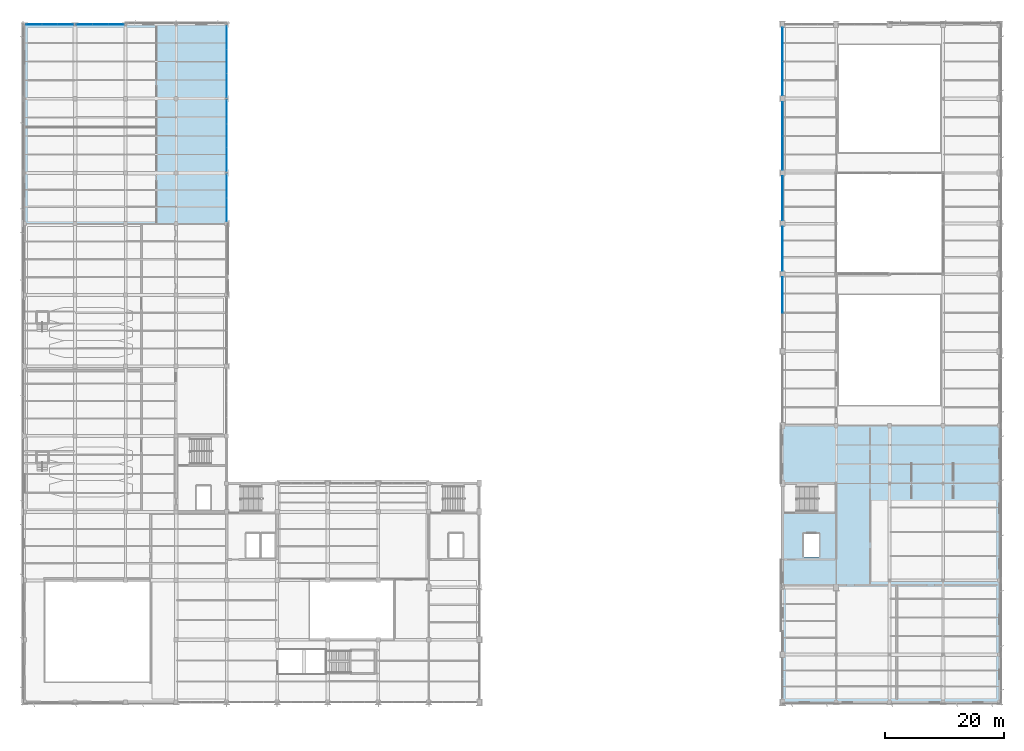
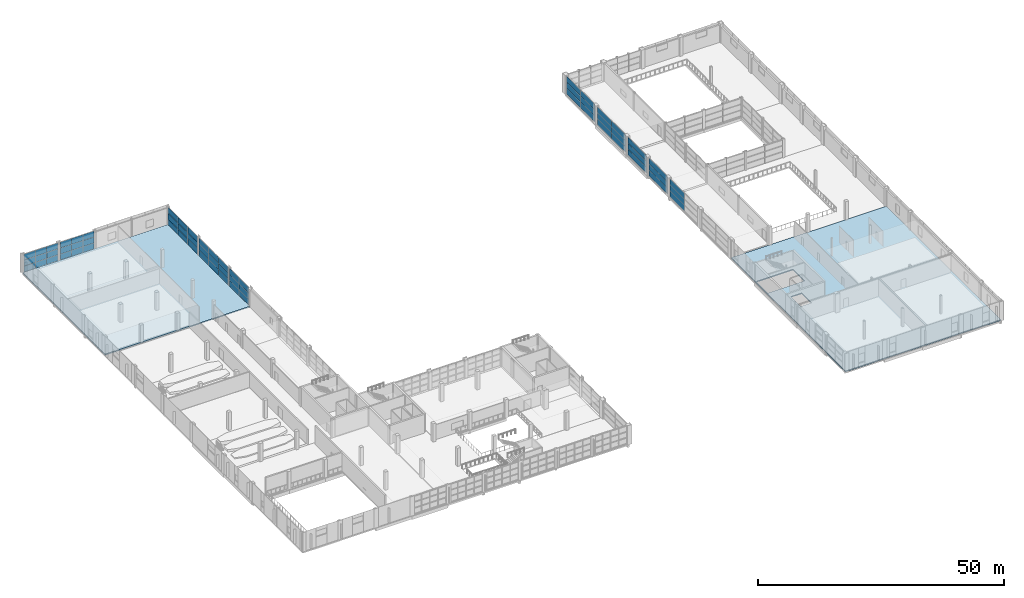
# One storey, part 87 of 112: 63 plates, 2 slabs, 10 elements without a shape of their own.
"""IFC4 building model written with IfcOpenShell, lengths in metres."""

from ifc_helpers import new_model, si_unit, direction, frame, origin, origin_2d, place, context, subcontext, project, spatial, polyline, rectangle, outline, extrude, material, layer, layer_set, type_object, element, aggregate, save


model = new_model("IFC4")

# Units and contexts
model_context = context("Model", 3, precision=1e-05, world=origin(), true_north=direction((0.0, 1.0)))
body_context = subcontext(model_context, "Body", "Model", "MODEL_VIEW")
ifc_project = project(units=[si_unit("LENGTHUNIT", "METRE"), si_unit("AREAUNIT", "SQUARE_METRE"), si_unit("VOLUMEUNIT", "CUBIC_METRE"), si_unit("PLANEANGLEUNIT", "RADIAN"), si_unit("MASSUNIT", "GRAM", prefix="KILO")], contexts=[model_context])

# Site, building, storey
site_placement = place(None, origin())
site = spatial("IfcSite", under=ifc_project, at=site_placement, CompositionType="ELEMENT")
building_placement = place(site_placement, origin())
building = spatial("IfcBuilding", under=site, at=building_placement, Name="Solvikara Media Centre", CompositionType="ELEMENT")
storey_placement = place(building_placement, frame((0.0, 0.0, 5.39990234375)))
storey = spatial("IfcBuildingStorey", under=building, at=storey_placement, Name="L01", CompositionType="ELEMENT", Elevation=5.39990234375)

# Curtain wall, plates
ifc_material_1 = material(Name="Anodised aluminium EN AW-6063", Category="aluminium")
curtain_wall_type_1 = type_object("IfcCurtainWallType", Name="CW-08", PredefinedType="NOTDEFINED", material=ifc_material_1)
curtain_wall_1_placement = place(storey_placement, origin())
curtain_wall_1 = element("IfcCurtainWall", 1, at=curtain_wall_1_placement, inside=storey, type_object=curtain_wall_type_1, Name="CW-L01-V3N-S1", PredefinedType="NOTDEFINED")
ifc_material_2 = material(Name="Insulated silver-pearl glass spandrel panel", Category="glass")
ifc_layer_1 = layer(ifc_material_2, 0.054931640625)
ifc_layer_set_1 = layer_set([ifc_layer_1], Name="Insulated silver-pearl glass spandrel panel")
plate_type_1 = type_object("IfcPlateType", Name="PN-11", PredefinedType="CURTAIN_PANEL", material=ifc_layer_set_1)
plate_1_placement = place(storey_placement, frame((1.595947265625, 114.0, 1.521484375), z_axis=(0.0, 0.0, 1.0), x_axis=(1.0, 0.0, 0.0)))
plate_1 = element("IfcPlate", 2, at=plate_1_placement, type_object=plate_type_1, Name="CW-L01-V3N-S1-P0001", PredefinedType="CURTAIN_PANEL", context=body_context, shape_type="SweptSolid", body=[
    extrude(rectangle(XDim=2.6240234375, YDim=0.054931640625, at=origin_2d()), origin(), (0.0, 0.0, 1.0), 1.45703125),
])
plate_2_placement = place(storey_placement, frame((4.25, 114.0, 0.03466796875), z_axis=(0.0, 0.0, 1.0), x_axis=(1.0, 0.0, 0.0)))
plate_2 = element("IfcPlate", 3, at=plate_2_placement, type_object=plate_type_1, Name="CW-L01-V3N-S1-P0100", PredefinedType="CURTAIN_PANEL", context=body_context, shape_type="SweptSolid", body=[
    extrude(rectangle(XDim=2.6240234375, YDim=0.054931640625, at=origin_2d()), origin(), (0.0, 0.0, 1.0), 1.45703125),
])
plate_3_placement = place(storey_placement, frame((4.25, 114.0, 3.008544921875), z_axis=(0.0, 0.0, 1.0), x_axis=(1.0, 0.0, 0.0)))
plate_3 = element("IfcPlate", 4, at=plate_3_placement, type_object=plate_type_1, Name="CW-L01-V3N-S1-P0102", PredefinedType="CURTAIN_PANEL", context=body_context, shape_type="SweptSolid", body=[
    extrude(rectangle(XDim=2.6240234375, YDim=0.054931640625, at=origin_2d()), origin(), (0.0, 0.0, 1.0), 1.45703125),
])
plate_4_placement = place(storey_placement, frame((6.905029296875, 114.0, 1.521484375), z_axis=(0.0, 0.0, 1.0), x_axis=(1.0, 0.0, 0.0)))
plate_4 = element("IfcPlate", 5, at=plate_4_placement, type_object=plate_type_1, Name="CW-L01-V3N-S1-P0201", PredefinedType="CURTAIN_PANEL", context=body_context, shape_type="SweptSolid", body=[
    extrude(rectangle(XDim=2.6240234375, YDim=0.054931640625, at=origin_2d()), origin(), (0.0, 0.0, 1.0), 1.45703125),
])

curtain_wall_2_placement = place(storey_placement, origin())
curtain_wall_2 = element("IfcCurtainWall", 6, at=curtain_wall_2_placement, inside=storey, type_object=curtain_wall_type_1, Name="CW-L01-V3N-S2", PredefinedType="NOTDEFINED")
plate_5_placement = place(storey_placement, frame((10.094970703125, 114.0, 1.521484375), z_axis=(0.0, 0.0, 1.0), x_axis=(1.0, 0.0, 0.0)))
plate_5 = element("IfcPlate", 7, at=plate_5_placement, type_object=plate_type_1, Name="CW-L01-V3N-S2-P0001", PredefinedType="CURTAIN_PANEL", context=body_context, shape_type="SweptSolid", body=[
    extrude(rectangle(XDim=2.625, YDim=0.054931640625, at=origin_2d()), origin(), (0.0, 0.0, 1.0), 1.45703125),
])
plate_6_placement = place(storey_placement, frame((12.75, 114.0, 0.03466796875), z_axis=(0.0, 0.0, 1.0), x_axis=(1.0, 0.0, 0.0)))
plate_6 = element("IfcPlate", 8, at=plate_6_placement, type_object=plate_type_1, Name="CW-L01-V3N-S2-P0100", PredefinedType="CURTAIN_PANEL", context=body_context, shape_type="SweptSolid", body=[
    extrude(rectangle(XDim=2.625, YDim=0.054931640625, at=origin_2d()), origin(), (0.0, 0.0, 1.0), 1.45703125),
])
plate_7_placement = place(storey_placement, frame((12.75, 114.0, 3.008544921875), z_axis=(0.0, 0.0, 1.0), x_axis=(1.0, 0.0, 0.0)))
plate_7 = element("IfcPlate", 9, at=plate_7_placement, type_object=plate_type_1, Name="CW-L01-V3N-S2-P0102", PredefinedType="CURTAIN_PANEL", context=body_context, shape_type="SweptSolid", body=[
    extrude(rectangle(XDim=2.625, YDim=0.054931640625, at=origin_2d()), origin(), (0.0, 0.0, 1.0), 1.45703125),
])
plate_8_placement = place(storey_placement, frame((15.405029296875, 114.0, 1.521484375), z_axis=(0.0, 0.0, 1.0), x_axis=(1.0, 0.0, 0.0)))
plate_8 = element("IfcPlate", 10, at=plate_8_placement, type_object=plate_type_1, Name="CW-L01-V3N-S2-P0201", PredefinedType="CURTAIN_PANEL", context=body_context, shape_type="SweptSolid", body=[
    extrude(rectangle(XDim=2.625, YDim=0.054931640625, at=origin_2d()), origin(), (0.0, 0.0, 1.0), 1.45703125),
])

curtain_wall_3_placement = place(storey_placement, origin())
curtain_wall_3 = element("IfcCurtainWall", 11, at=curtain_wall_3_placement, inside=storey, type_object=curtain_wall_type_1, Name="CW-L01-V3E-S1", PredefinedType="NOTDEFINED")
plate_9_placement = place(storey_placement, frame((34.0, 82.85009765625, 1.521484375), z_axis=(0.0, 0.0, 1.0), x_axis=(0.0, 1.0, 0.0)))
plate_9 = element("IfcPlate", 12, at=plate_9_placement, type_object=plate_type_1, Name="CW-L01-V3E-S1-P0001", PredefinedType="CURTAIN_PANEL", context=body_context, shape_type="SweptSolid", body=[
    extrude(rectangle(XDim=3.889892578125, YDim=0.054931640625, at=origin_2d()), origin(), (0.0, 0.0, 1.0), 1.45703125),
])
plate_10_placement = place(storey_placement, frame((34.0, 86.77099609375, 0.03466796875), z_axis=(0.0, 0.0, 1.0), x_axis=(0.0, 1.0, 0.0)))
plate_10 = element("IfcPlate", 13, at=plate_10_placement, type_object=plate_type_1, Name="CW-L01-V3E-S1-P0100", PredefinedType="CURTAIN_PANEL", context=body_context, shape_type="SweptSolid", body=[
    extrude(rectangle(XDim=3.889892578125, YDim=0.054931640625, at=origin_2d()), origin(), (0.0, 0.0, 1.0), 1.45703125),
])
plate_11_placement = place(storey_placement, frame((34.0, 86.77099609375, 3.008544921875), z_axis=(0.0, 0.0, 1.0), x_axis=(0.0, 1.0, 0.0)))
plate_11 = element("IfcPlate", 14, at=plate_11_placement, type_object=plate_type_1, Name="CW-L01-V3E-S1-P0102", PredefinedType="CURTAIN_PANEL", context=body_context, shape_type="SweptSolid", body=[
    extrude(rectangle(XDim=3.889892578125, YDim=0.054931640625, at=origin_2d()), origin(), (0.0, 0.0, 1.0), 1.45703125),
])

curtain_wall_4_placement = place(storey_placement, origin())
curtain_wall_4 = element("IfcCurtainWall", 15, at=curtain_wall_4_placement, inside=storey, type_object=curtain_wall_type_1, Name="CW-L01-V3E-S2", PredefinedType="NOTDEFINED")
plate_12_placement = place(storey_placement, frame((34.0, 91.262939453125, 1.521484375), z_axis=(0.0, 0.0, 1.0), x_axis=(0.0, 1.0, 0.0)))
plate_12 = element("IfcPlate", 16, at=plate_12_placement, type_object=plate_type_1, Name="CW-L01-V3E-S2-P0001", PredefinedType="CURTAIN_PANEL", context=body_context, shape_type="SweptSolid", body=[
    extrude(rectangle(XDim=3.95703125, YDim=0.054931640625, at=origin_2d()), origin(), (0.0, 0.0, 1.0), 1.45703125),
])
plate_13_placement = place(storey_placement, frame((34.0, 95.25, 0.03466796875), z_axis=(0.0, 0.0, 1.0), x_axis=(0.0, 1.0, 0.0)))
plate_13 = element("IfcPlate", 17, at=plate_13_placement, type_object=plate_type_1, Name="CW-L01-V3E-S2-P0100", PredefinedType="CURTAIN_PANEL", context=body_context, shape_type="SweptSolid", body=[
    extrude(rectangle(XDim=3.95703125, YDim=0.054931640625, at=origin_2d()), origin(), (0.0, 0.0, 1.0), 1.45703125),
])
plate_14_placement = place(storey_placement, frame((34.0, 95.25, 3.008544921875), z_axis=(0.0, 0.0, 1.0), x_axis=(0.0, 1.0, 0.0)))
plate_14 = element("IfcPlate", 18, at=plate_14_placement, type_object=plate_type_1, Name="CW-L01-V3E-S2-P0102", PredefinedType="CURTAIN_PANEL", context=body_context, shape_type="SweptSolid", body=[
    extrude(rectangle(XDim=3.95703125, YDim=0.054931640625, at=origin_2d()), origin(), (0.0, 0.0, 1.0), 1.45703125),
])
plate_15_placement = place(storey_placement, frame((34.0, 99.237060546875, 1.521484375), z_axis=(0.0, 0.0, 1.0), x_axis=(0.0, 1.0, 0.0)))
plate_15 = element("IfcPlate", 19, at=plate_15_placement, type_object=plate_type_1, Name="CW-L01-V3E-S2-P0201", PredefinedType="CURTAIN_PANEL", context=body_context, shape_type="SweptSolid", body=[
    extrude(rectangle(XDim=3.95703125, YDim=0.054931640625, at=origin_2d()), origin(), (0.0, 0.0, 1.0), 1.45703125),
])

curtain_wall_5_placement = place(storey_placement, origin())
curtain_wall_5 = element("IfcCurtainWall", 20, at=curtain_wall_5_placement, inside=storey, type_object=curtain_wall_type_1, Name="CW-L01-V3E-S3", PredefinedType="NOTDEFINED")
plate_16_placement = place(storey_placement, frame((34.0, 103.762939453125, 1.521484375), z_axis=(0.0, 0.0, 1.0), x_axis=(0.0, 1.0, 0.0)))
plate_16 = element("IfcPlate", 21, at=plate_16_placement, type_object=plate_type_1, Name="CW-L01-V3E-S3-P0001", PredefinedType="CURTAIN_PANEL", context=body_context, shape_type="SweptSolid", body=[
    extrude(rectangle(XDim=3.9580078125, YDim=0.054931640625, at=origin_2d()), origin(), (0.0, 0.0, 1.0), 1.45703125),
])
plate_17_placement = place(storey_placement, frame((34.0, 107.75, 0.03466796875), z_axis=(0.0, 0.0, 1.0), x_axis=(0.0, 1.0, 0.0)))
plate_17 = element("IfcPlate", 22, at=plate_17_placement, type_object=plate_type_1, Name="CW-L01-V3E-S3-P0100", PredefinedType="CURTAIN_PANEL", context=body_context, shape_type="SweptSolid", body=[
    extrude(rectangle(XDim=3.9580078125, YDim=0.054931640625, at=origin_2d()), origin(), (0.0, 0.0, 1.0), 1.45703125),
])
plate_18_placement = place(storey_placement, frame((34.0, 107.75, 3.008544921875), z_axis=(0.0, 0.0, 1.0), x_axis=(0.0, 1.0, 0.0)))
plate_18 = element("IfcPlate", 23, at=plate_18_placement, type_object=plate_type_1, Name="CW-L01-V3E-S3-P0102", PredefinedType="CURTAIN_PANEL", context=body_context, shape_type="SweptSolid", body=[
    extrude(rectangle(XDim=3.9580078125, YDim=0.054931640625, at=origin_2d()), origin(), (0.0, 0.0, 1.0), 1.45703125),
])
plate_19_placement = place(storey_placement, frame((34.0, 111.738037109375, 1.521484375), z_axis=(0.0, 0.0, 1.0), x_axis=(0.0, 1.0, 0.0)))
plate_19 = element("IfcPlate", 24, at=plate_19_placement, type_object=plate_type_1, Name="CW-L01-V3E-S3-P0201", PredefinedType="CURTAIN_PANEL", context=body_context, shape_type="SweptSolid", body=[
    extrude(rectangle(XDim=3.9580078125, YDim=0.054931640625, at=origin_2d()), origin(), (0.0, 0.0, 1.0), 1.45703125),
])

curtain_wall_type_2 = type_object("IfcCurtainWallType", Name="CW-12", PredefinedType="NOTDEFINED", material=ifc_material_1)
curtain_wall_6_placement = place(storey_placement, origin())
curtain_wall_6 = element("IfcCurtainWall", 25, at=curtain_wall_6_placement, inside=storey, type_object=curtain_wall_type_2, Name="CW-L01-V2W-S2", PredefinedType="NOTDEFINED")
ifc_material_3 = material(Name="Ceramic-fritted teal low-E glass", Category="glass")
ifc_layer_2 = layer(ifc_material_3, 0.0380859375)
ifc_layer_set_2 = layer_set([ifc_layer_2], Name="Ceramic-fritted teal low-E glass")
plate_type_2 = type_object("IfcPlateType", Name="PN-12", PredefinedType="CURTAIN_PANEL", material=ifc_layer_set_2)
plate_20_placement = place(storey_placement, frame((127.5, 68.47998046875, 0.03466796875), z_axis=(0.0, 0.0, 1.0), x_axis=(0.0, 1.0, 0.0)))
plate_20 = element("IfcPlate", 26, at=plate_20_placement, type_object=plate_type_2, Name="CW-L01-V2W-S2-P0100", PredefinedType="CURTAIN_PANEL", context=body_context, shape_type="SweptSolid", body=[
    extrude(rectangle(XDim=5.929931640625, YDim=0.0380859375, at=origin_2d()), origin(), (0.0, 0.0, 1.0), 1.45703125),
])
plate_21_placement = place(storey_placement, frame((127.5, 68.47998046875, 1.521484375), z_axis=(0.0, 0.0, 1.0), x_axis=(0.0, 1.0, 0.0)))
plate_21 = element("IfcPlate", 27, at=plate_21_placement, type_object=plate_type_2, Name="CW-L01-V2W-S2-P0101", PredefinedType="CURTAIN_PANEL", context=body_context, shape_type="SweptSolid", body=[
    extrude(rectangle(XDim=5.929931640625, YDim=0.0380859375, at=origin_2d()), origin(), (0.0, 0.0, 1.0), 1.45703125),
])
plate_22_placement = place(storey_placement, frame((127.5, 68.47998046875, 3.008544921875), z_axis=(0.0, 0.0, 1.0), x_axis=(0.0, 1.0, 0.0)))
plate_22 = element("IfcPlate", 28, at=plate_22_placement, type_object=plate_type_2, Name="CW-L01-V2W-S2-P0102", PredefinedType="CURTAIN_PANEL", context=body_context, shape_type="SweptSolid", body=[
    extrude(rectangle(XDim=5.929931640625, YDim=0.0380859375, at=origin_2d()), origin(), (0.0, 0.0, 1.0), 1.45703125),
])
aggregate(curtain_wall_6, [plate_20, plate_21, plate_22])

curtain_wall_7_placement = place(storey_placement, origin())
curtain_wall_7 = element("IfcCurtainWall", 29, at=curtain_wall_7_placement, inside=storey, type_object=curtain_wall_type_2, Name="CW-L01-V2W-S3", PredefinedType="NOTDEFINED")
plate_23_placement = place(storey_placement, frame((127.5, 76.25, 0.03466796875), z_axis=(0.0, 0.0, 1.0), x_axis=(0.0, 1.0, 0.0)))
plate_23 = element("IfcPlate", 30, at=plate_23_placement, type_object=plate_type_2, Name="CW-L01-V2W-S3-P0000", PredefinedType="CURTAIN_PANEL", context=body_context, shape_type="SweptSolid", body=[
    extrude(rectangle(XDim=7.389892578125, YDim=0.0380859375, at=origin_2d()), origin(), (0.0, 0.0, 1.0), 1.45703125),
])
plate_24_placement = place(storey_placement, frame((127.5, 76.25, 1.521484375), z_axis=(0.0, 0.0, 1.0), x_axis=(0.0, 1.0, 0.0)))
plate_24 = element("IfcPlate", 31, at=plate_24_placement, type_object=plate_type_2, Name="CW-L01-V2W-S3-P0001", PredefinedType="CURTAIN_PANEL", context=body_context, shape_type="SweptSolid", body=[
    extrude(rectangle(XDim=7.389892578125, YDim=0.0380859375, at=origin_2d()), origin(), (0.0, 0.0, 1.0), 1.45703125),
])
plate_25_placement = place(storey_placement, frame((127.5, 76.25, 3.008544921875), z_axis=(0.0, 0.0, 1.0), x_axis=(0.0, 1.0, 0.0)))
plate_25 = element("IfcPlate", 32, at=plate_25_placement, type_object=plate_type_2, Name="CW-L01-V2W-S3-P0002", PredefinedType="CURTAIN_PANEL", context=body_context, shape_type="SweptSolid", body=[
    extrude(rectangle(XDim=7.389892578125, YDim=0.0380859375, at=origin_2d()), origin(), (0.0, 0.0, 1.0), 1.45703125),
])
aggregate(curtain_wall_7, [plate_23, plate_24, plate_25])

curtain_wall_8_placement = place(storey_placement, origin())
curtain_wall_8 = element("IfcCurtainWall", 33, at=curtain_wall_8_placement, inside=storey, type_object=curtain_wall_type_2, Name="CW-L01-V2W-S4", PredefinedType="NOTDEFINED")
plate_26_placement = place(storey_placement, frame((127.5, 84.75, 0.03466796875), z_axis=(0.0, 0.0, 1.0), x_axis=(0.0, 1.0, 0.0)))
plate_26 = element("IfcPlate", 34, at=plate_26_placement, type_object=plate_type_2, Name="CW-L01-V2W-S4-P0000", PredefinedType="CURTAIN_PANEL", context=body_context, shape_type="SweptSolid", body=[
    extrude(rectangle(XDim=7.389892578125, YDim=0.0380859375, at=origin_2d()), origin(), (0.0, 0.0, 1.0), 1.45703125),
])
plate_27_placement = place(storey_placement, frame((127.5, 84.75, 1.521484375), z_axis=(0.0, 0.0, 1.0), x_axis=(0.0, 1.0, 0.0)))
plate_27 = element("IfcPlate", 35, at=plate_27_placement, type_object=plate_type_2, Name="CW-L01-V2W-S4-P0001", PredefinedType="CURTAIN_PANEL", context=body_context, shape_type="SweptSolid", body=[
    extrude(rectangle(XDim=7.389892578125, YDim=0.0380859375, at=origin_2d()), origin(), (0.0, 0.0, 1.0), 1.45703125),
])
plate_28_placement = place(storey_placement, frame((127.5, 84.75, 3.008544921875), z_axis=(0.0, 0.0, 1.0), x_axis=(0.0, 1.0, 0.0)))
plate_28 = element("IfcPlate", 36, at=plate_28_placement, type_object=plate_type_2, Name="CW-L01-V2W-S4-P0002", PredefinedType="CURTAIN_PANEL", context=body_context, shape_type="SweptSolid", body=[
    extrude(rectangle(XDim=7.389892578125, YDim=0.0380859375, at=origin_2d()), origin(), (0.0, 0.0, 1.0), 1.45703125),
])
aggregate(curtain_wall_8, [plate_26, plate_27, plate_28])

curtain_wall_9_placement = place(storey_placement, origin())
curtain_wall_9 = element("IfcCurtainWall", 37, at=curtain_wall_9_placement, inside=storey, type_object=curtain_wall_type_2, Name="CW-L01-V2W-S5", PredefinedType="NOTDEFINED")
plate_29_placement = place(storey_placement, frame((127.5, 92.39501953125, 0.03466796875), z_axis=(0.0, 0.0, 1.0), x_axis=(0.0, 1.0, 0.0)))
plate_29 = element("IfcPlate", 38, at=plate_29_placement, type_object=plate_type_2, Name="CW-L01-V2W-S5-P0000", PredefinedType="CURTAIN_PANEL", context=body_context, shape_type="SweptSolid", body=[
    extrude(rectangle(XDim=5.679931640625, YDim=0.0380859375, at=origin_2d()), origin(), (0.0, 0.0, 1.0), 1.45703125),
])
plate_30_placement = place(storey_placement, frame((127.5, 92.39501953125, 1.521484375), z_axis=(0.0, 0.0, 1.0), x_axis=(0.0, 1.0, 0.0)))
plate_30 = element("IfcPlate", 39, at=plate_30_placement, type_object=plate_type_2, Name="CW-L01-V2W-S5-P0001", PredefinedType="CURTAIN_PANEL", context=body_context, shape_type="SweptSolid", body=[
    extrude(rectangle(XDim=5.679931640625, YDim=0.0380859375, at=origin_2d()), origin(), (0.0, 0.0, 1.0), 1.45703125),
])
plate_31_placement = place(storey_placement, frame((127.5, 92.39501953125, 3.008544921875), z_axis=(0.0, 0.0, 1.0), x_axis=(0.0, 1.0, 0.0)))
plate_31 = element("IfcPlate", 40, at=plate_31_placement, type_object=plate_type_2, Name="CW-L01-V2W-S5-P0002", PredefinedType="CURTAIN_PANEL", context=body_context, shape_type="SweptSolid", body=[
    extrude(rectangle(XDim=5.679931640625, YDim=0.0380859375, at=origin_2d()), origin(), (0.0, 0.0, 1.0), 1.45703125),
])
plate_32_placement = place(storey_placement, frame((127.5, 98.10498046875, 0.03466796875), z_axis=(0.0, 0.0, 1.0), x_axis=(0.0, 1.0, 0.0)))
plate_32 = element("IfcPlate", 41, at=plate_32_placement, type_object=plate_type_2, Name="CW-L01-V2W-S5-P0100", PredefinedType="CURTAIN_PANEL", context=body_context, shape_type="SweptSolid", body=[
    extrude(rectangle(XDim=5.679931640625, YDim=0.0380859375, at=origin_2d()), origin(), (0.0, 0.0, 1.0), 1.45703125),
])
plate_33_placement = place(storey_placement, frame((127.5, 98.10498046875, 1.521484375), z_axis=(0.0, 0.0, 1.0), x_axis=(0.0, 1.0, 0.0)))
plate_33 = element("IfcPlate", 42, at=plate_33_placement, type_object=plate_type_2, Name="CW-L01-V2W-S5-P0101", PredefinedType="CURTAIN_PANEL", context=body_context, shape_type="SweptSolid", body=[
    extrude(rectangle(XDim=5.679931640625, YDim=0.0380859375, at=origin_2d()), origin(), (0.0, 0.0, 1.0), 1.45703125),
])
plate_34_placement = place(storey_placement, frame((127.5, 98.10498046875, 3.008544921875), z_axis=(0.0, 0.0, 1.0), x_axis=(0.0, 1.0, 0.0)))
plate_34 = element("IfcPlate", 43, at=plate_34_placement, type_object=plate_type_2, Name="CW-L01-V2W-S5-P0102", PredefinedType="CURTAIN_PANEL", context=body_context, shape_type="SweptSolid", body=[
    extrude(rectangle(XDim=5.679931640625, YDim=0.0380859375, at=origin_2d()), origin(), (0.0, 0.0, 1.0), 1.45703125),
])
aggregate(curtain_wall_9, [plate_29, plate_30, plate_31, plate_32, plate_33, plate_34])

curtain_wall_10_placement = place(storey_placement, origin())
curtain_wall_10 = element("IfcCurtainWall", 44, at=curtain_wall_10_placement, inside=storey, type_object=curtain_wall_type_2, Name="CW-L01-V2W-S6", PredefinedType="NOTDEFINED")
plate_35_placement = place(storey_placement, frame((127.5, 104.89501953125, 0.03466796875), z_axis=(0.0, 0.0, 1.0), x_axis=(0.0, 1.0, 0.0)))
plate_35 = element("IfcPlate", 45, at=plate_35_placement, type_object=plate_type_2, Name="CW-L01-V2W-S6-P0000", PredefinedType="CURTAIN_PANEL", context=body_context, shape_type="SweptSolid", body=[
    extrude(rectangle(XDim=5.679931640625, YDim=0.0380859375, at=origin_2d()), origin(), (0.0, 0.0, 1.0), 1.45703125),
])
plate_36_placement = place(storey_placement, frame((127.5, 104.89501953125, 1.521484375), z_axis=(0.0, 0.0, 1.0), x_axis=(0.0, 1.0, 0.0)))
plate_36 = element("IfcPlate", 46, at=plate_36_placement, type_object=plate_type_2, Name="CW-L01-V2W-S6-P0001", PredefinedType="CURTAIN_PANEL", context=body_context, shape_type="SweptSolid", body=[
    extrude(rectangle(XDim=5.679931640625, YDim=0.0380859375, at=origin_2d()), origin(), (0.0, 0.0, 1.0), 1.45703125),
])
plate_37_placement = place(storey_placement, frame((127.5, 104.89501953125, 3.008544921875), z_axis=(0.0, 0.0, 1.0), x_axis=(0.0, 1.0, 0.0)))
plate_37 = element("IfcPlate", 47, at=plate_37_placement, type_object=plate_type_2, Name="CW-L01-V2W-S6-P0002", PredefinedType="CURTAIN_PANEL", context=body_context, shape_type="SweptSolid", body=[
    extrude(rectangle(XDim=5.679931640625, YDim=0.0380859375, at=origin_2d()), origin(), (0.0, 0.0, 1.0), 1.45703125),
])
plate_38_placement = place(storey_placement, frame((127.5, 110.60498046875, 0.03466796875), z_axis=(0.0, 0.0, 1.0), x_axis=(0.0, 1.0, 0.0)))
plate_38 = element("IfcPlate", 48, at=plate_38_placement, type_object=plate_type_2, Name="CW-L01-V2W-S6-P0100", PredefinedType="CURTAIN_PANEL", context=body_context, shape_type="SweptSolid", body=[
    extrude(rectangle(XDim=5.679931640625, YDim=0.0380859375, at=origin_2d()), origin(), (0.0, 0.0, 1.0), 1.45703125),
])
plate_39_placement = place(storey_placement, frame((127.5, 110.60498046875, 1.521484375), z_axis=(0.0, 0.0, 1.0), x_axis=(0.0, 1.0, 0.0)))
plate_39 = element("IfcPlate", 49, at=plate_39_placement, type_object=plate_type_2, Name="CW-L01-V2W-S6-P0101", PredefinedType="CURTAIN_PANEL", context=body_context, shape_type="SweptSolid", body=[
    extrude(rectangle(XDim=5.679931640625, YDim=0.0380859375, at=origin_2d()), origin(), (0.0, 0.0, 1.0), 1.45703125),
])
plate_40_placement = place(storey_placement, frame((127.5, 110.60498046875, 3.008544921875), z_axis=(0.0, 0.0, 1.0), x_axis=(0.0, 1.0, 0.0)))
plate_40 = element("IfcPlate", 50, at=plate_40_placement, type_object=plate_type_2, Name="CW-L01-V2W-S6-P0102", PredefinedType="CURTAIN_PANEL", context=body_context, shape_type="SweptSolid", body=[
    extrude(rectangle(XDim=5.679931640625, YDim=0.0380859375, at=origin_2d()), origin(), (0.0, 0.0, 1.0), 1.45703125),
])
aggregate(curtain_wall_10, [plate_35, plate_36, plate_37, plate_38, plate_39, plate_40])

# Plate
ifc_material_4 = material(Name="Laminated solar-control cyan vision glass", Category="glass")
ifc_layer_3 = layer(ifc_material_4, 0.035888671875)
ifc_layer_set_3 = layer_set([ifc_layer_3], Name="Laminated solar-control cyan vision glass")
plate_type_3 = type_object("IfcPlateType", Name="PN-13", PredefinedType="CURTAIN_PANEL", material=ifc_layer_set_3)
plate_41_placement = place(storey_placement, frame((1.595947265625, 114.0, 0.03466796875), z_axis=(0.0, 0.0, 1.0), x_axis=(1.0, 0.0, 0.0)))
plate_41 = element("IfcPlate", 51, at=plate_41_placement, type_object=plate_type_3, Name="CW-L01-V3N-S1-P0000", PredefinedType="CURTAIN_PANEL", context=body_context, shape_type="SweptSolid", body=[
    extrude(rectangle(XDim=2.6240234375, YDim=0.035888671875, at=origin_2d()), origin(), (0.0, 0.0, 1.0), 1.45703125),
])

plate_42_placement = place(storey_placement, frame((1.595947265625, 114.0, 3.008544921875), z_axis=(0.0, 0.0, 1.0), x_axis=(1.0, 0.0, 0.0)))
plate_42 = element("IfcPlate", 52, at=plate_42_placement, type_object=plate_type_3, Name="CW-L01-V3N-S1-P0002", PredefinedType="CURTAIN_PANEL", context=body_context, shape_type="SweptSolid", body=[
    extrude(rectangle(XDim=2.6240234375, YDim=0.035888671875, at=origin_2d()), origin(), (0.0, 0.0, 1.0), 1.45703125),
])

plate_43_placement = place(storey_placement, frame((4.25, 114.0, 1.521484375), z_axis=(0.0, 0.0, 1.0), x_axis=(1.0, 0.0, 0.0)))
plate_43 = element("IfcPlate", 53, at=plate_43_placement, type_object=plate_type_3, Name="CW-L01-V3N-S1-P0101", PredefinedType="CURTAIN_PANEL", context=body_context, shape_type="SweptSolid", body=[
    extrude(rectangle(XDim=2.6240234375, YDim=0.035888671875, at=origin_2d()), origin(), (0.0, 0.0, 1.0), 1.45703125),
])

plate_44_placement = place(storey_placement, frame((6.905029296875, 114.0, 0.03466796875), z_axis=(0.0, 0.0, 1.0), x_axis=(1.0, 0.0, 0.0)))
plate_44 = element("IfcPlate", 54, at=plate_44_placement, type_object=plate_type_3, Name="CW-L01-V3N-S1-P0200", PredefinedType="CURTAIN_PANEL", context=body_context, shape_type="SweptSolid", body=[
    extrude(rectangle(XDim=2.6240234375, YDim=0.035888671875, at=origin_2d()), origin(), (0.0, 0.0, 1.0), 1.45703125),
])

plate_45_placement = place(storey_placement, frame((6.905029296875, 114.0, 3.008544921875), z_axis=(0.0, 0.0, 1.0), x_axis=(1.0, 0.0, 0.0)))
plate_45 = element("IfcPlate", 55, at=plate_45_placement, type_object=plate_type_3, Name="CW-L01-V3N-S1-P0202", PredefinedType="CURTAIN_PANEL", context=body_context, shape_type="SweptSolid", body=[
    extrude(rectangle(XDim=2.6240234375, YDim=0.035888671875, at=origin_2d()), origin(), (0.0, 0.0, 1.0), 1.45703125),
])

aggregate(curtain_wall_1, [plate_41, plate_1, plate_42, plate_2, plate_43, plate_3, plate_44, plate_4, plate_45])

plate_46_placement = place(storey_placement, frame((10.094970703125, 114.0, 0.03466796875), z_axis=(0.0, 0.0, 1.0), x_axis=(1.0, 0.0, 0.0)))
plate_46 = element("IfcPlate", 56, at=plate_46_placement, type_object=plate_type_3, Name="CW-L01-V3N-S2-P0000", PredefinedType="CURTAIN_PANEL", context=body_context, shape_type="SweptSolid", body=[
    extrude(rectangle(XDim=2.625, YDim=0.035888671875, at=origin_2d()), origin(), (0.0, 0.0, 1.0), 1.45703125),
])

plate_47_placement = place(storey_placement, frame((10.094970703125, 114.0, 3.008544921875), z_axis=(0.0, 0.0, 1.0), x_axis=(1.0, 0.0, 0.0)))
plate_47 = element("IfcPlate", 57, at=plate_47_placement, type_object=plate_type_3, Name="CW-L01-V3N-S2-P0002", PredefinedType="CURTAIN_PANEL", context=body_context, shape_type="SweptSolid", body=[
    extrude(rectangle(XDim=2.625, YDim=0.035888671875, at=origin_2d()), origin(), (0.0, 0.0, 1.0), 1.45703125),
])

plate_48_placement = place(storey_placement, frame((12.75, 114.0, 1.521484375), z_axis=(0.0, 0.0, 1.0), x_axis=(1.0, 0.0, 0.0)))
plate_48 = element("IfcPlate", 58, at=plate_48_placement, type_object=plate_type_3, Name="CW-L01-V3N-S2-P0101", PredefinedType="CURTAIN_PANEL", context=body_context, shape_type="SweptSolid", body=[
    extrude(rectangle(XDim=2.625, YDim=0.035888671875, at=origin_2d()), origin(), (0.0, 0.0, 1.0), 1.45703125),
])

plate_49_placement = place(storey_placement, frame((15.405029296875, 114.0, 0.03466796875), z_axis=(0.0, 0.0, 1.0), x_axis=(1.0, 0.0, 0.0)))
plate_49 = element("IfcPlate", 59, at=plate_49_placement, type_object=plate_type_3, Name="CW-L01-V3N-S2-P0200", PredefinedType="CURTAIN_PANEL", context=body_context, shape_type="SweptSolid", body=[
    extrude(rectangle(XDim=2.625, YDim=0.035888671875, at=origin_2d()), origin(), (0.0, 0.0, 1.0), 1.45703125),
])

plate_50_placement = place(storey_placement, frame((15.405029296875, 114.0, 3.008544921875), z_axis=(0.0, 0.0, 1.0), x_axis=(1.0, 0.0, 0.0)))
plate_50 = element("IfcPlate", 60, at=plate_50_placement, type_object=plate_type_3, Name="CW-L01-V3N-S2-P0202", PredefinedType="CURTAIN_PANEL", context=body_context, shape_type="SweptSolid", body=[
    extrude(rectangle(XDim=2.625, YDim=0.035888671875, at=origin_2d()), origin(), (0.0, 0.0, 1.0), 1.45703125),
])

aggregate(curtain_wall_2, [plate_46, plate_5, plate_47, plate_6, plate_48, plate_7, plate_49, plate_8, plate_50])

plate_51_placement = place(storey_placement, frame((34.0, 82.85009765625, 0.03466796875), z_axis=(0.0, 0.0, 1.0), x_axis=(0.0, 1.0, 0.0)))
plate_51 = element("IfcPlate", 61, at=plate_51_placement, type_object=plate_type_3, Name="CW-L01-V3E-S1-P0000", PredefinedType="CURTAIN_PANEL", context=body_context, shape_type="SweptSolid", body=[
    extrude(rectangle(XDim=3.889892578125, YDim=0.035888671875, at=origin_2d()), origin(), (0.0, 0.0, 1.0), 1.45703125),
])

plate_52_placement = place(storey_placement, frame((34.0, 82.85009765625, 3.008544921875), z_axis=(0.0, 0.0, 1.0), x_axis=(0.0, 1.0, 0.0)))
plate_52 = element("IfcPlate", 62, at=plate_52_placement, type_object=plate_type_3, Name="CW-L01-V3E-S1-P0002", PredefinedType="CURTAIN_PANEL", context=body_context, shape_type="SweptSolid", body=[
    extrude(rectangle(XDim=3.889892578125, YDim=0.035888671875, at=origin_2d()), origin(), (0.0, 0.0, 1.0), 1.45703125),
])

plate_53_placement = place(storey_placement, frame((34.0, 86.77099609375, 1.521484375), z_axis=(0.0, 0.0, 1.0), x_axis=(0.0, 1.0, 0.0)))
plate_53 = element("IfcPlate", 63, at=plate_53_placement, type_object=plate_type_3, Name="CW-L01-V3E-S1-P0101", PredefinedType="CURTAIN_PANEL", context=body_context, shape_type="SweptSolid", body=[
    extrude(rectangle(XDim=3.889892578125, YDim=0.035888671875, at=origin_2d()), origin(), (0.0, 0.0, 1.0), 1.45703125),
])

aggregate(curtain_wall_3, [plate_51, plate_9, plate_52, plate_10, plate_53, plate_11])

plate_54_placement = place(storey_placement, frame((34.0, 91.262939453125, 0.03466796875), z_axis=(0.0, 0.0, 1.0), x_axis=(0.0, 1.0, 0.0)))
plate_54 = element("IfcPlate", 64, at=plate_54_placement, type_object=plate_type_3, Name="CW-L01-V3E-S2-P0000", PredefinedType="CURTAIN_PANEL", context=body_context, shape_type="SweptSolid", body=[
    extrude(rectangle(XDim=3.95703125, YDim=0.035888671875, at=origin_2d()), origin(), (0.0, 0.0, 1.0), 1.45703125),
])

plate_55_placement = place(storey_placement, frame((34.0, 91.262939453125, 3.008544921875), z_axis=(0.0, 0.0, 1.0), x_axis=(0.0, 1.0, 0.0)))
plate_55 = element("IfcPlate", 65, at=plate_55_placement, type_object=plate_type_3, Name="CW-L01-V3E-S2-P0002", PredefinedType="CURTAIN_PANEL", context=body_context, shape_type="SweptSolid", body=[
    extrude(rectangle(XDim=3.95703125, YDim=0.035888671875, at=origin_2d()), origin(), (0.0, 0.0, 1.0), 1.45703125),
])

plate_56_placement = place(storey_placement, frame((34.0, 95.25, 1.521484375), z_axis=(0.0, 0.0, 1.0), x_axis=(0.0, 1.0, 0.0)))
plate_56 = element("IfcPlate", 66, at=plate_56_placement, type_object=plate_type_3, Name="CW-L01-V3E-S2-P0101", PredefinedType="CURTAIN_PANEL", context=body_context, shape_type="SweptSolid", body=[
    extrude(rectangle(XDim=3.95703125, YDim=0.035888671875, at=origin_2d()), origin(), (0.0, 0.0, 1.0), 1.45703125),
])

plate_57_placement = place(storey_placement, frame((34.0, 99.237060546875, 0.03466796875), z_axis=(0.0, 0.0, 1.0), x_axis=(0.0, 1.0, 0.0)))
plate_57 = element("IfcPlate", 67, at=plate_57_placement, type_object=plate_type_3, Name="CW-L01-V3E-S2-P0200", PredefinedType="CURTAIN_PANEL", context=body_context, shape_type="SweptSolid", body=[
    extrude(rectangle(XDim=3.95703125, YDim=0.035888671875, at=origin_2d()), origin(), (0.0, 0.0, 1.0), 1.45703125),
])

plate_58_placement = place(storey_placement, frame((34.0, 99.237060546875, 3.008544921875), z_axis=(0.0, 0.0, 1.0), x_axis=(0.0, 1.0, 0.0)))
plate_58 = element("IfcPlate", 68, at=plate_58_placement, type_object=plate_type_3, Name="CW-L01-V3E-S2-P0202", PredefinedType="CURTAIN_PANEL", context=body_context, shape_type="SweptSolid", body=[
    extrude(rectangle(XDim=3.95703125, YDim=0.035888671875, at=origin_2d()), origin(), (0.0, 0.0, 1.0), 1.45703125),
])

aggregate(curtain_wall_4, [plate_54, plate_12, plate_55, plate_13, plate_56, plate_14, plate_57, plate_15, plate_58])

plate_59_placement = place(storey_placement, frame((34.0, 103.762939453125, 0.03466796875), z_axis=(0.0, 0.0, 1.0), x_axis=(0.0, 1.0, 0.0)))
plate_59 = element("IfcPlate", 69, at=plate_59_placement, type_object=plate_type_3, Name="CW-L01-V3E-S3-P0000", PredefinedType="CURTAIN_PANEL", context=body_context, shape_type="SweptSolid", body=[
    extrude(rectangle(XDim=3.9580078125, YDim=0.035888671875, at=origin_2d()), origin(), (0.0, 0.0, 1.0), 1.45703125),
])

plate_60_placement = place(storey_placement, frame((34.0, 103.762939453125, 3.008544921875), z_axis=(0.0, 0.0, 1.0), x_axis=(0.0, 1.0, 0.0)))
plate_60 = element("IfcPlate", 70, at=plate_60_placement, type_object=plate_type_3, Name="CW-L01-V3E-S3-P0002", PredefinedType="CURTAIN_PANEL", context=body_context, shape_type="SweptSolid", body=[
    extrude(rectangle(XDim=3.9580078125, YDim=0.035888671875, at=origin_2d()), origin(), (0.0, 0.0, 1.0), 1.45703125),
])

plate_61_placement = place(storey_placement, frame((34.0, 107.75, 1.521484375), z_axis=(0.0, 0.0, 1.0), x_axis=(0.0, 1.0, 0.0)))
plate_61 = element("IfcPlate", 71, at=plate_61_placement, type_object=plate_type_3, Name="CW-L01-V3E-S3-P0101", PredefinedType="CURTAIN_PANEL", context=body_context, shape_type="SweptSolid", body=[
    extrude(rectangle(XDim=3.9580078125, YDim=0.035888671875, at=origin_2d()), origin(), (0.0, 0.0, 1.0), 1.45703125),
])

plate_62_placement = place(storey_placement, frame((34.0, 111.738037109375, 0.03466796875), z_axis=(0.0, 0.0, 1.0), x_axis=(0.0, 1.0, 0.0)))
plate_62 = element("IfcPlate", 72, at=plate_62_placement, type_object=plate_type_3, Name="CW-L01-V3E-S3-P0200", PredefinedType="CURTAIN_PANEL", context=body_context, shape_type="SweptSolid", body=[
    extrude(rectangle(XDim=3.9580078125, YDim=0.035888671875, at=origin_2d()), origin(), (0.0, 0.0, 1.0), 1.45703125),
])

plate_63_placement = place(storey_placement, frame((34.0, 111.738037109375, 3.008544921875), z_axis=(0.0, 0.0, 1.0), x_axis=(0.0, 1.0, 0.0)))
plate_63 = element("IfcPlate", 73, at=plate_63_placement, type_object=plate_type_3, Name="CW-L01-V3E-S3-P0202", PredefinedType="CURTAIN_PANEL", context=body_context, shape_type="SweptSolid", body=[
    extrude(rectangle(XDim=3.9580078125, YDim=0.035888671875, at=origin_2d()), origin(), (0.0, 0.0, 1.0), 1.45703125),
])

aggregate(curtain_wall_5, [plate_59, plate_16, plate_60, plate_17, plate_61, plate_18, plate_62, plate_19, plate_63])

# Slabs
ifc_material_5 = material(Name="Concrete fc' 35 MPa (C35/45)", Category="concrete")
ifc_layer_4 = layer(ifc_material_5, 0.260009765625)
ifc_layer_set_4 = layer_set([ifc_layer_4], Name="Concrete fc' 35 MPa (C35/45)")
slab_type_1 = type_object("IfcSlabType", Name="ST-06", PredefinedType="FLOOR", material=ifc_layer_set_4)
slab_1_placement = place(storey_placement, frame((0.0, 0.0, -0.260009765625)))
element("IfcSlab", 74, at=slab_1_placement, inside=storey, type_object=slab_type_1, Name="SL-L01-V3", PredefinedType="FLOOR", context=body_context, shape_type="SweptSolid", body=[
    extrude(outline(polyline([(0.0, 80.5), (34.0, 80.5), (34.0, 114.0), (0.0, 114.0), (0.0, 80.5)])), origin(), (0.0, 0.0, 1.0), 0.260009765625),
])
ifc_layer_5 = layer(ifc_material_5, 0.239990234375)
ifc_layer_set_5 = layer_set([ifc_layer_5], Name="Concrete fc' 35 MPa (C35/45)")
slab_type_2 = type_object("IfcSlabType", Name="ST-07", PredefinedType="FLOOR", material=ifc_layer_set_5)
slab_2_placement = place(storey_placement, frame((0.0, 0.0, -0.239990234375)))
element("IfcSlab", 75, at=slab_2_placement, inside=storey, type_object=slab_type_2, Name="SL-L01-V5", PredefinedType="FLOOR", context=body_context, shape_type="SweptSolid", body=[
    extrude(outline(polyline([(127.5, 0.0), (164.0, 0.0), (164.0, 46.5), (127.5, 46.5), (127.5, 0.0)]), holes=[polyline([(127.679931640625, 31.85009765625), (136.320068359375, 31.85009765625), (136.320068359375, 36.6201171875), (127.679931640625, 36.6201171875), (127.679931640625, 31.85009765625)]), polyline([(131.050048828125, 24.39990234375), (133.64990234375, 24.39990234375), (133.64990234375, 28.449951171875), (131.050048828125, 28.449951171875), (131.050048828125, 24.39990234375)])]), origin(), (0.0, 0.0, 1.0), 0.239990234375),
])

save(model, "model.ifc")
